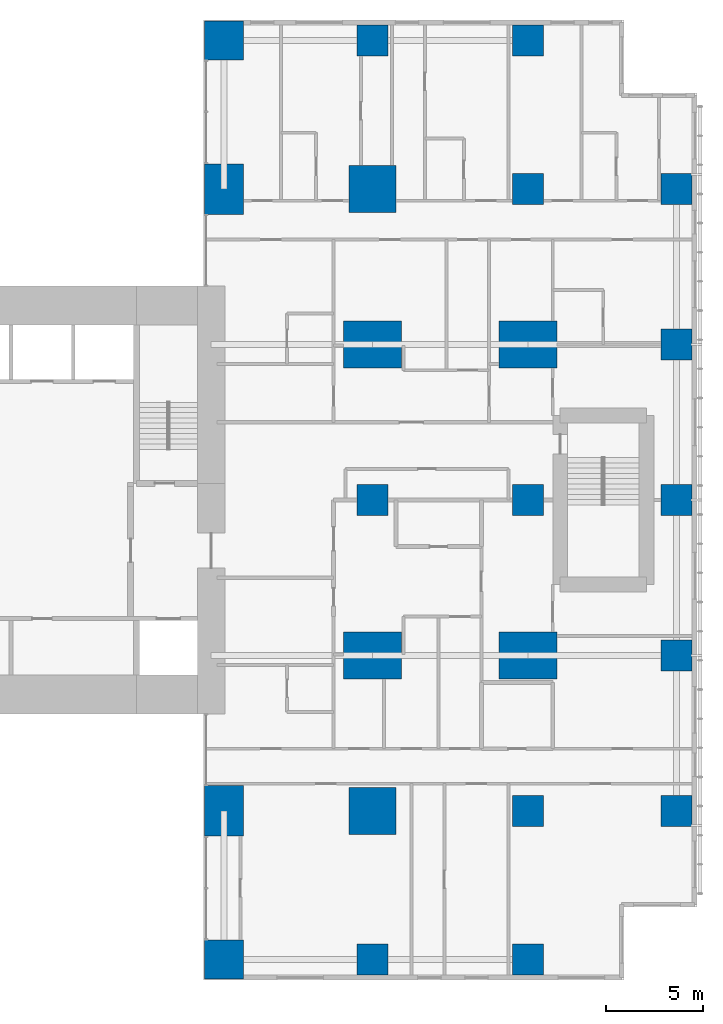
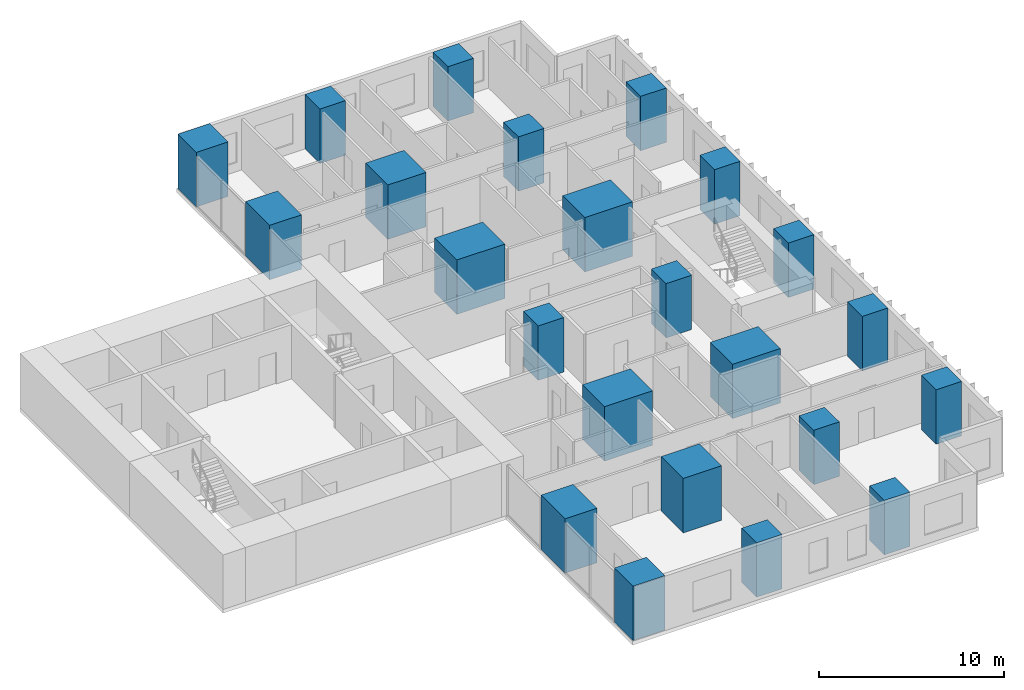
# One storey, part 1 of 12: 23 columns.
"""IFC4 building model written with IfcOpenShell, lengths in metres."""

from ifc_helpers import new_model, si_unit, direction, frame, origin, origin_2d, place, context, subcontext, project, spatial, rectangle, extrude, material, material_profile, profile_set, type_object, element, save


model = new_model("IFC4")

# Units and contexts
model_context = context("Model", 3, precision=1e-05, world=origin(), true_north=direction((0.0, 1.0)))
body_context = subcontext(model_context, "Body", "Model", "MODEL_VIEW")
ifc_project = project(units=[si_unit("LENGTHUNIT", "METRE"), si_unit("AREAUNIT", "SQUARE_METRE"), si_unit("VOLUMEUNIT", "CUBIC_METRE"), si_unit("PLANEANGLEUNIT", "RADIAN"), si_unit("MASSUNIT", "GRAM", prefix="KILO")], contexts=[model_context])

# Site, building, storey
site_placement = place(None, origin())
site = spatial("IfcSite", under=ifc_project, at=site_placement, CompositionType="ELEMENT")
building_placement = place(site_placement, origin())
building = spatial("IfcBuilding", under=site, at=building_placement, Name="Cleftline Residences", CompositionType="ELEMENT")
storey_placement = place(building_placement, frame((0.0, 0.0, 252.0)))
storey = spatial("IfcBuildingStorey", under=building, at=storey_placement, Name="L66", CompositionType="ELEMENT", Elevation=252.0)

# Columns
ifc_material_1 = material(Name="Concrete B70", Category="concrete")
ifc_material_profile_1 = material_profile(ifc_material_1, rectangle(XDim=1.60009765625, YDim=1.60009765625, at=origin_2d()))
ifc_profile_set_1 = profile_set([ifc_material_profile_1], Name="Concrete B70")
column_type_1 = type_object("IfcColumnType", Name="COLUMN RC1600X1600", PredefinedType="COLUMN", material=ifc_profile_set_1)
for number, where, z_axis, x_axis, name in (
    (1, (50.0, 0.35009765625, 0.0), (0.0, 0.0, 1.0), (1.0, 0.0, 0.0), "Column C/9"),
    (2, (50.0, 24.0, 0.0), (0.0, 0.0, 1.0), (1.0, 0.0, 0.0), "Column F/9"),
    (3, (50.0, 47.64990234375, 0.0), (0.0, 0.0, 1.0), (1.0, 0.0, 0.0), "Column J/9"),
    (4, (58.0, 0.35009765625, 0.0), (0.0, 0.0, 1.0), (1.0, 0.0, 0.0), "Column C/10"),
    (5, (58.0, 8.0, 0.0), (0.0, 0.0, 1.0), (1.0, 0.0, 0.0), "Column D/10"),
    (6, (58.0, 24.0, 0.0), (0.0, 0.0, 1.0), (1.0, 0.0, 0.0), "Column F/10"),
    (7, (58.0, 40.0, 0.0), (0.0, 0.0, 1.0), (1.0, 0.0, 0.0), "Column H/10"),
    (8, (58.0, 47.64990234375, 0.0), (0.0, 0.0, 1.0), (1.0, 0.0, 0.0), "Column J/10"),
    (9, (65.64990234375, 8.0, 0.0), (0.0, 0.0, 1.0), (1.0, 0.0, 0.0), "Column D/11"),
    (10, (65.64990234375, 16.0, 0.0), (0.0, 0.0, 1.0), (1.0, 0.0, 0.0), "Column E/11"),
    (11, (65.64990234375, 24.0, 0.0), (0.0, 0.0, 1.0), (1.0, 0.0, 0.0), "Column F/11"),
    (12, (65.64990234375, 32.0, 0.0), (0.0, 0.0, 1.0), (1.0, 0.0, 0.0), "Column G/11"),
    (13, (65.64990234375, 40.0, 0.0), (0.0, 0.0, 1.0), (1.0, 0.0, 0.0), "Column H/11"),
):
    element("IfcColumn", number, at=place(storey_placement, frame(where, z_axis=z_axis, x_axis=x_axis)), inside=storey, type_object=column_type_1, Name=name, PredefinedType="COLUMN", context=body_context, shape_type="SweptSolid", body=[
        extrude(rectangle(XDim=1.60009765625, YDim=1.60009765625, at=origin_2d()), origin(), (0.0, 0.0, 1.0), 3.60009765625),
    ])
ifc_material_2 = material(Name="Concrete B70", Category="concrete")
ifc_material_profile_2 = material_profile(ifc_material_2, rectangle(XDim=2.0, YDim=2.0, at=origin_2d()))
ifc_profile_set_2 = profile_set([ifc_material_profile_2], Name="Concrete B70")
column_type_2 = type_object("IfcColumnType", Name="COLUMN RC2000X2000", PredefinedType="COLUMN", material=ifc_profile_set_2)
for number, where, z_axis, x_axis, name in (
    (14, (42.35009765625, 0.35009765625, 0.0), (0.0, 0.0, 1.0), (1.0, 0.0, 0.0), "Column C/8"),
    (15, (42.35009765625, 47.64990234375, 0.0), (0.0, 0.0, 1.0), (1.0, 0.0, 0.0), "Column J/8"),
):
    element("IfcColumn", number, at=place(storey_placement, frame(where, z_axis=z_axis, x_axis=x_axis)), inside=storey, type_object=column_type_2, Name=name, PredefinedType="COLUMN", context=body_context, shape_type="SweptSolid", body=[
        extrude(rectangle(XDim=2.0, YDim=2.0, at=origin_2d()), origin(), (0.0, 0.0, 1.0), 3.60009765625),
    ])
ifc_material_3 = material(Name="Concrete B70", Category="concrete")
ifc_material_profile_3 = material_profile(ifc_material_3, rectangle(XDim=2.0, YDim=2.60009765625, at=origin_2d()))
ifc_profile_set_3 = profile_set([ifc_material_profile_3], Name="Concrete B70")
column_type_3 = type_object("IfcColumnType", Name="COLUMN RC2000X2600", PredefinedType="COLUMN", material=ifc_profile_set_3)
for number, where, z_axis, x_axis, name in (
    (16, (42.35009765625, 8.0, 0.0), (0.0, 0.0, 1.0), (1.0, 0.0, 0.0), "Column D/8"),
    (17, (42.35009765625, 40.0, 0.0), (0.0, 0.0, 1.0), (1.0, 0.0, 0.0), "Column H/8"),
):
    element("IfcColumn", number, at=place(storey_placement, frame(where, z_axis=z_axis, x_axis=x_axis)), inside=storey, type_object=column_type_3, Name=name, PredefinedType="COLUMN", context=body_context, shape_type="SweptSolid", body=[
        extrude(rectangle(XDim=2.0, YDim=2.60009765625, at=origin_2d()), origin(), (0.0, 0.0, 1.0), 3.60009765625),
    ])
ifc_material_4 = material(Name="Concrete B70", Category="concrete")
ifc_material_profile_4 = material_profile(ifc_material_4, rectangle(XDim=2.39990234375, YDim=2.39990234375, at=origin_2d()))
ifc_profile_set_4 = profile_set([ifc_material_profile_4], Name="Concrete B70")
column_type_4 = type_object("IfcColumnType", Name="COLUMN RC2400X2400", PredefinedType="COLUMN", material=ifc_profile_set_4)
for number, where, z_axis, x_axis, name in (
    (18, (50.0, 8.0, 0.0), (0.0, 0.0, 1.0), (1.0, 0.0, 0.0), "Column D/9"),
    (19, (50.0, 40.0, 0.0), (0.0, 0.0, 1.0), (1.0, 0.0, 0.0), "Column H/9"),
):
    element("IfcColumn", number, at=place(storey_placement, frame(where, z_axis=z_axis, x_axis=x_axis)), inside=storey, type_object=column_type_4, Name=name, PredefinedType="COLUMN", context=body_context, shape_type="SweptSolid", body=[
        extrude(rectangle(XDim=2.39990234375, YDim=2.39990234375, at=origin_2d()), origin(), (0.0, 0.0, 1.0), 3.60009765625),
    ])
ifc_material_5 = material(Name="Concrete B70", Category="concrete")
ifc_material_profile_5 = material_profile(ifc_material_5, rectangle(XDim=3.0, YDim=2.39990234375, at=origin_2d()))
ifc_profile_set_5 = profile_set([ifc_material_profile_5], Name="Concrete B70")
column_type_5 = type_object("IfcColumnType", Name="COLUMN RC3000X2400", PredefinedType="COLUMN", material=ifc_profile_set_5)
for number, where, z_axis, x_axis, name in (
    (20, (50.0, 16.0, 0.0), (0.0, 0.0, 1.0), (1.0, 0.0, 0.0), "Column E/9"),
    (21, (50.0, 32.0, 0.0), (0.0, 0.0, 1.0), (1.0, 0.0, 0.0), "Column G/9"),
    (22, (58.0, 16.0, 0.0), (0.0, 0.0, 1.0), (1.0, 0.0, 0.0), "Column E/10"),
    (23, (58.0, 32.0, 0.0), (0.0, 0.0, 1.0), (1.0, 0.0, 0.0), "Column G/10"),
):
    element("IfcColumn", number, at=place(storey_placement, frame(where, z_axis=z_axis, x_axis=x_axis)), inside=storey, type_object=column_type_5, Name=name, PredefinedType="COLUMN", context=body_context, shape_type="SweptSolid", body=[
        extrude(rectangle(XDim=3.0, YDim=2.39990234375, at=origin_2d()), origin(), (0.0, 0.0, 1.0), 3.60009765625),
    ])

save(model, "model.ifc")
